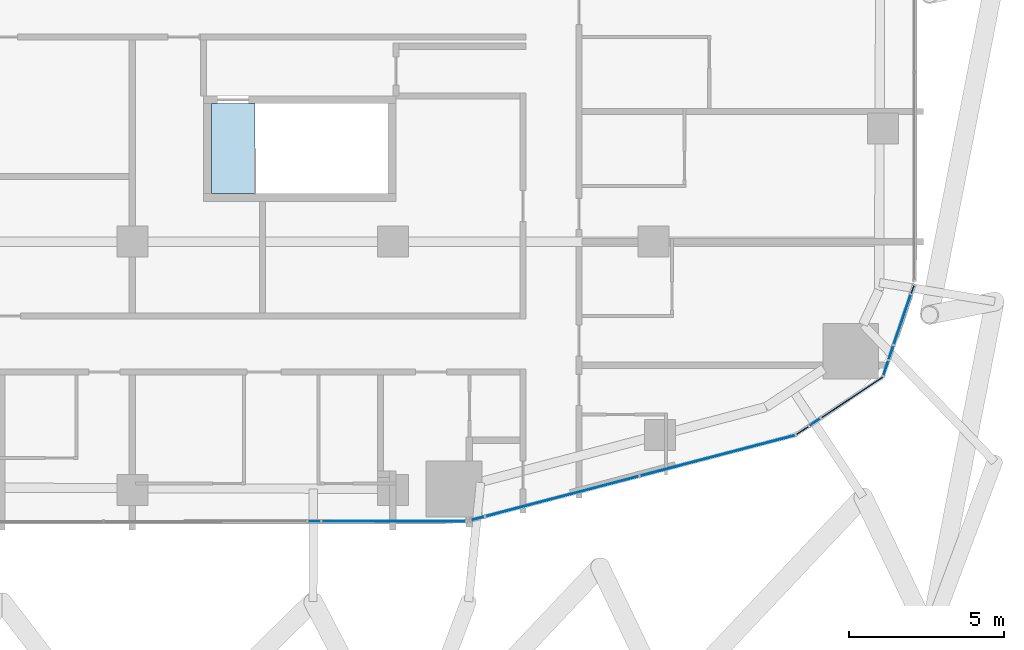
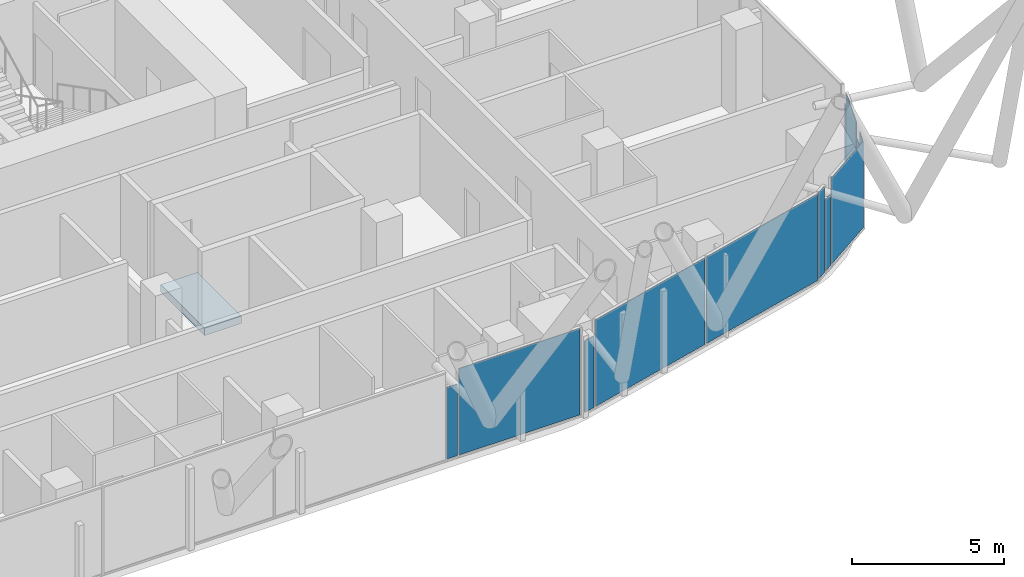
# One storey, part 22 of 36: 12 plates, 1 slab, 11 elements without a shape of their own.
"""IFC4 building model written with IfcOpenShell, lengths in metres."""

from ifc_helpers import new_model, si_unit, direction, frame, origin, origin_2d, place, context, subcontext, project, spatial, polyline, rectangle, outline, extrude, material, layer, layer_set, type_object, element, aggregate, save


model = new_model("IFC4")

# Units and contexts
model_context = context("Model", 3, precision=1e-05, world=origin(), true_north=direction((0.0, 1.0)))
body_context = subcontext(model_context, "Body", "Model", "MODEL_VIEW")
ifc_project = project(units=[si_unit("LENGTHUNIT", "METRE"), si_unit("AREAUNIT", "SQUARE_METRE"), si_unit("VOLUMEUNIT", "CUBIC_METRE"), si_unit("PLANEANGLEUNIT", "RADIAN"), si_unit("MASSUNIT", "GRAM", prefix="KILO")], contexts=[model_context])

# Site, building, storey
site_placement = place(None, origin())
site = spatial("IfcSite", under=ifc_project, at=site_placement, CompositionType="ELEMENT")
building_placement = place(site_placement, origin())
building = spatial("IfcBuilding", under=site, at=building_placement, Name="Marenta Gate Hotel Tower", CompositionType="ELEMENT")
storey_placement = place(building_placement, frame((0.0, 0.0, 83.300048828125)))
storey = spatial("IfcBuildingStorey", under=building, at=storey_placement, Name="L19", CompositionType="ELEMENT", Elevation=83.300048828125)

# Curtain wall, plate
ifc_material_1 = material(Name="Tinted insulated glass in bronze anodised frame", Category="glass")
ifc_layer_1 = layer(ifc_material_1, 0.1201171875)
ifc_layer_set_1 = layer_set([ifc_layer_1], Name="Tinted insulated glass in bronze anodised frame")
curtain_wall_type = type_object("IfcCurtainWallType", Name="Tower unitised curtain wall CW1", PredefinedType="NOTDEFINED", material=ifc_layer_set_1)
curtain_wall_1_placement = place(storey_placement, origin())
curtain_wall_1 = element("IfcCurtainWall", 1, at=curtain_wall_1_placement, inside=storey, type_object=curtain_wall_type, Name="CW1 run G21", PredefinedType="NOTDEFINED")
ifc_material_2 = material(Name="Tinted insulated glass", Category="glass")
ifc_layer_2 = layer(ifc_material_2, 0.028076171875)
ifc_layer_set_2 = layer_set([ifc_layer_2], Name="Tinted insulated glass")
plate_type = type_object("IfcPlateType", Name="Glass panel CW1 28 mm tinted insulated unit", PredefinedType="CURTAIN_PANEL", material=ifc_layer_set_2)
plate_1_placement = place(storey_placement, frame((10.06298828125, -17.418701171875, 0.06005859375), z_axis=(0.0, 0.0, 1.0), x_axis=(0.999999390865, 0.001103752086, 0.0)))
plate_1 = element("IfcPlate", 2, at=plate_1_placement, type_object=plate_type, Name="CW1 panel 1.1", PredefinedType="CURTAIN_PANEL", context=body_context, shape_type="SweptSolid", body=[
    extrude(rectangle(XDim=0.39306640625, YDim=0.028076171875, at=origin_2d()), origin(), (0.0, 0.0, 1.0), 2.880615234375),
])
aggregate(curtain_wall_1, [plate_1])

curtain_wall_2_placement = place(storey_placement, origin())
curtain_wall_2 = element("IfcCurtainWall", 3, at=curtain_wall_2_placement, inside=storey, type_object=curtain_wall_type, Name="CW1 run G22", PredefinedType="NOTDEFINED")
plate_2_placement = place(storey_placement, frame((12.626708984375, -17.415771484375, 0.06005859375), z_axis=(0.0, 0.0, 1.0), x_axis=(0.99999932513, 0.001161782868, 0.0)))
plate_2 = element("IfcPlate", 4, at=plate_2_placement, type_object=plate_type, Name="CW1 panel 1.1", PredefinedType="CURTAIN_PANEL", context=body_context, shape_type="SweptSolid", body=[
    extrude(rectangle(XDim=4.614013671875, YDim=0.028076171875, at=origin_2d()), origin(), (0.0, 0.0, 1.0), 3.47998046875),
])
aggregate(curtain_wall_2, [plate_2])

curtain_wall_3_placement = place(storey_placement, origin())
curtain_wall_3 = element("IfcCurtainWall", 5, at=curtain_wall_3_placement, inside=storey, type_object=curtain_wall_type, Name="CW1 run G23", PredefinedType="NOTDEFINED")
plate_3_placement = place(storey_placement, frame((15.337158203125, -17.322998046875, 0.06005859375), z_axis=(0.0, 0.0, 1.0), x_axis=(0.967355319897, 0.25342392363, 0.0)))
plate_3 = element("IfcPlate", 6, at=plate_3_placement, type_object=plate_type, Name="CW1 panel 1.1", PredefinedType="CURTAIN_PANEL", context=body_context, shape_type="SweptSolid", body=[
    extrude(rectangle(XDim=0.42333984375, YDim=0.028076171875, at=origin_2d()), origin(), (0.0, 0.0, 1.0), 2.880615234375),
])
aggregate(curtain_wall_3, [plate_3])

# Curtain wall, plates
curtain_wall_4_placement = place(storey_placement, origin())
curtain_wall_4 = element("IfcCurtainWall", 7, at=curtain_wall_4_placement, inside=storey, type_object=curtain_wall_type, Name="CW1 run G24", PredefinedType="NOTDEFINED")
plate_4_placement = place(storey_placement, frame((18.06298828125, -16.609130859375, 0.06005859375), z_axis=(0.0, 0.0, 1.0), x_axis=(0.967371097224, 0.253363691666, 0.0)))
plate_4 = element("IfcPlate", 8, at=plate_4_placement, type_object=plate_type, Name="CW1 panel 1.1", PredefinedType="CURTAIN_PANEL", context=body_context, shape_type="SweptSolid", body=[
    extrude(rectangle(XDim=5.091796875, YDim=0.028076171875, at=origin_2d()), origin(), (0.0, 0.0, 1.0), 3.47998046875),
])
plate_5_placement = place(storey_placement, frame((23.07568359375, -15.296142578125, 0.06005859375), z_axis=(0.0, 0.0, 1.0), x_axis=(0.967371097224, 0.253363691666, 0.0)))
plate_5 = element("IfcPlate", 9, at=plate_5_placement, type_object=plate_type, Name="CW1 panel 2.1", PredefinedType="CURTAIN_PANEL", context=body_context, shape_type="SweptSolid", body=[
    extrude(rectangle(XDim=5.15185546875, YDim=0.028076171875, at=origin_2d()), origin(), (0.0, 0.0, 1.0), 3.47998046875),
])
aggregate(curtain_wall_4, [plate_4, plate_5])

# Curtain wall, plate
curtain_wall_5_placement = place(storey_placement, origin())
curtain_wall_5 = element("IfcCurtainWall", 10, at=curtain_wall_5_placement, inside=storey, type_object=curtain_wall_type, Name="CW1 run G25", PredefinedType="NOTDEFINED")
plate_6_placement = place(storey_placement, frame((25.805419921875, -14.4853515625, 0.06005859375), z_axis=(0.0, 0.0, 1.0), x_axis=(0.83247144448, 0.55406795082, 0.0)))
plate_6 = element("IfcPlate", 11, at=plate_6_placement, type_object=plate_type, Name="CW1 panel 1.1", PredefinedType="CURTAIN_PANEL", context=body_context, shape_type="SweptSolid", body=[
    extrude(rectangle(XDim=0.451171875, YDim=0.028076171875, at=origin_2d()), origin(), (0.0, 0.0, 1.0), 3.47998046875),
])
aggregate(curtain_wall_5, [plate_6])

curtain_wall_6_placement = place(storey_placement, origin())
curtain_wall_6 = element("IfcCurtainWall", 12, at=curtain_wall_6_placement, inside=storey, type_object=curtain_wall_type, Name="CW1 run G26", PredefinedType="NOTDEFINED")
plate_7_placement = place(storey_placement, frame((26.20654296875, -14.21826171875, 0.06005859375), z_axis=(0.0, 0.0, 1.0), x_axis=(0.832457612814, 0.554088731944, 0.0)))
plate_7 = element("IfcPlate", 13, at=plate_7_placement, type_object=plate_type, Name="CW1 panel 1.1", PredefinedType="CURTAIN_PANEL", context=body_context, shape_type="SweptSolid", body=[
    extrude(rectangle(XDim=0.39306640625, YDim=0.028076171875, at=origin_2d()), origin(), (0.0, 0.0, 1.0), 2.880615234375),
])
aggregate(curtain_wall_6, [plate_7])

curtain_wall_7_placement = place(storey_placement, origin())
curtain_wall_7 = element("IfcCurtainWall", 14, at=curtain_wall_7_placement, inside=storey, type_object=curtain_wall_type, Name="CW1 run G27", PredefinedType="NOTDEFINED")
plate_8_placement = place(storey_placement, frame((27.407958984375, -13.418701171875, 0.06005859375), z_axis=(0.0, 0.0, 1.0), x_axis=(0.832505266723, 0.554017130491, 0.0)))
plate_8 = element("IfcPlate", 15, at=plate_8_placement, type_object=plate_type, Name="CW1 panel 1.1", PredefinedType="CURTAIN_PANEL", context=body_context, shape_type="SweptSolid", body=[
    extrude(rectangle(XDim=2.373046875, YDim=0.028076171875, at=origin_2d()), origin(), (0.0, 0.0, 1.0), 3.47998046875),
])
aggregate(curtain_wall_7, [plate_8])

curtain_wall_8_placement = place(storey_placement, origin())
curtain_wall_8 = element("IfcCurtainWall", 16, at=curtain_wall_8_placement, inside=storey, type_object=curtain_wall_type, Name="CW1 run G28", PredefinedType="NOTDEFINED")
plate_9_placement = place(storey_placement, frame((28.493408203125, -12.474609375, 0.06005859375), z_axis=(0.0, 0.0, 1.0), x_axis=(0.321994725093, 0.946741462603, 0.0)))
plate_9 = element("IfcPlate", 17, at=plate_9_placement, type_object=plate_type, Name="CW1 panel 1.1", PredefinedType="CURTAIN_PANEL", context=body_context, shape_type="SweptSolid", body=[
    extrude(rectangle(XDim=0.485595703125, YDim=0.028076171875, at=origin_2d()), origin(), (0.0, 0.0, 1.0), 3.47998046875),
])
aggregate(curtain_wall_8, [plate_9])

curtain_wall_9_placement = place(storey_placement, origin())
curtain_wall_9 = element("IfcCurtainWall", 18, at=curtain_wall_9_placement, inside=storey, type_object=curtain_wall_type, Name="CW1 run G29", PredefinedType="NOTDEFINED")
plate_10_placement = place(storey_placement, frame((28.663330078125, -11.974609375, 0.06005859375), z_axis=(0.0, 0.0, 1.0), x_axis=(0.322155508125, 0.94668676371, 0.0)))
plate_10 = element("IfcPlate", 19, at=plate_10_placement, type_object=plate_type, Name="CW1 panel 1.1", PredefinedType="CURTAIN_PANEL", context=body_context, shape_type="SweptSolid", body=[
    extrude(rectangle(XDim=0.45068359375, YDim=0.028076171875, at=origin_2d()), origin(), (0.0, 0.0, 1.0), 2.880615234375),
])
aggregate(curtain_wall_9, [plate_10])

curtain_wall_10_placement = place(storey_placement, origin())
curtain_wall_10 = element("IfcCurtainWall", 20, at=curtain_wall_10_placement, inside=storey, type_object=curtain_wall_type, Name="CW1 run G30", PredefinedType="NOTDEFINED")
plate_11_placement = place(storey_placement, frame((29.025634765625, -10.90966796875, 0.06005859375), z_axis=(0.0, 0.0, 1.0), x_axis=(0.321999612667, 0.946739800284, 0.0)))
plate_11 = element("IfcPlate", 21, at=plate_11_placement, type_object=plate_type, Name="CW1 panel 1.1", PredefinedType="CURTAIN_PANEL", context=body_context, shape_type="SweptSolid", body=[
    extrude(rectangle(XDim=1.679443359375, YDim=0.028076171875, at=origin_2d()), origin(), (0.0, 0.0, 1.0), 3.47998046875),
])
aggregate(curtain_wall_10, [plate_11])

curtain_wall_11_placement = place(storey_placement, origin())
curtain_wall_11 = element("IfcCurtainWall", 22, at=curtain_wall_11_placement, inside=storey, type_object=curtain_wall_type, Name="CW1 run G31", PredefinedType="NOTDEFINED")
plate_12_placement = place(storey_placement, frame((29.35498046875, -9.94140625, 0.06005859375), z_axis=(0.0, 0.0, 1.0), x_axis=(0.322039841818, 0.946726116827, 0.0)))
plate_12 = element("IfcPlate", 23, at=plate_12_placement, type_object=plate_type, Name="CW1 panel 1.1", PredefinedType="CURTAIN_PANEL", context=body_context, shape_type="SweptSolid", body=[
    extrude(rectangle(XDim=0.24609375, YDim=0.028076171875, at=origin_2d()), origin(), (0.0, 0.0, 1.0), 2.880615234375),
])
aggregate(curtain_wall_11, [plate_12])

# Slab
ifc_material_3 = material(Name="Concrete C40", Category="concrete")
ifc_layer_3 = layer(ifc_material_3, 0.300048828125)
ifc_layer_set_3 = layer_set([ifc_layer_3], Name="Concrete C40")
slab_type = type_object("IfcSlabType", Name="Stair floor landing slab 300", PredefinedType="FLOOR", material=ifc_layer_set_3)
slab_placement = place(storey_placement, frame((0.0, 0.0, -0.300048828125)))
element("IfcSlab", 24, at=slab_placement, inside=storey, type_object=slab_type, Name="L19-RS-Z1-1-CL", PredefinedType="FLOOR", context=body_context, shape_type="SweptSolid", body=[
    extrude(outline(polyline([(8.14990234375, -6.85009765625), (8.14990234375, -3.949951171875), (6.75, -3.949951171875), (6.75, -6.85009765625), (8.14990234375, -6.85009765625)])), origin(), (0.0, 0.0, 1.0), 0.300048828125),
])

save(model, "model.ifc")
